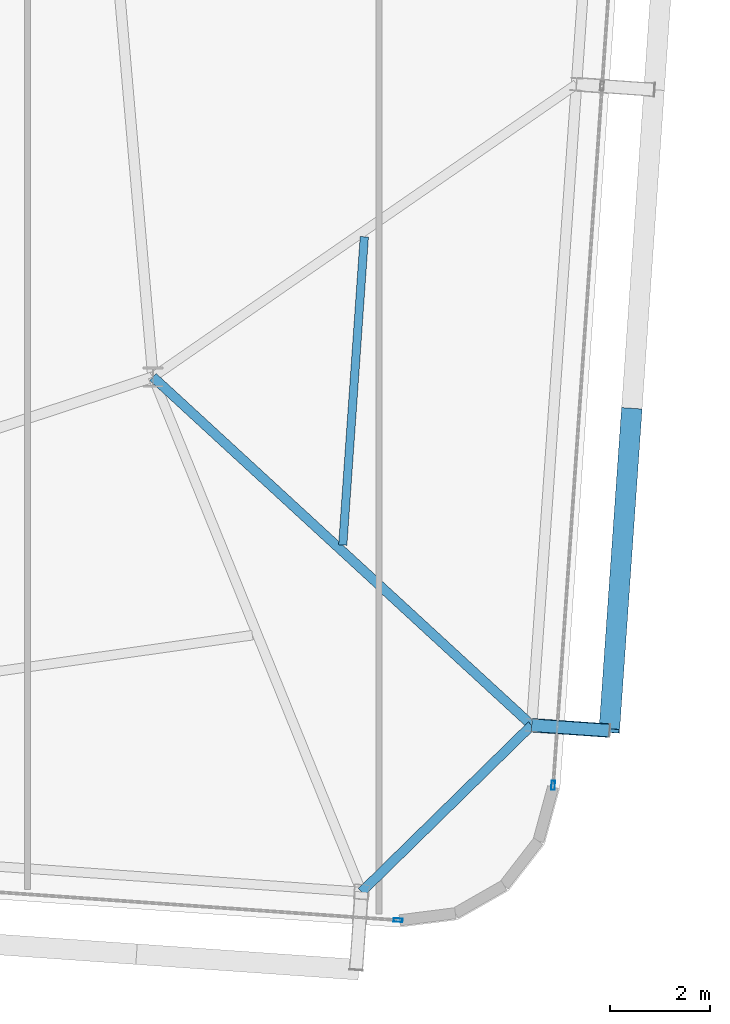
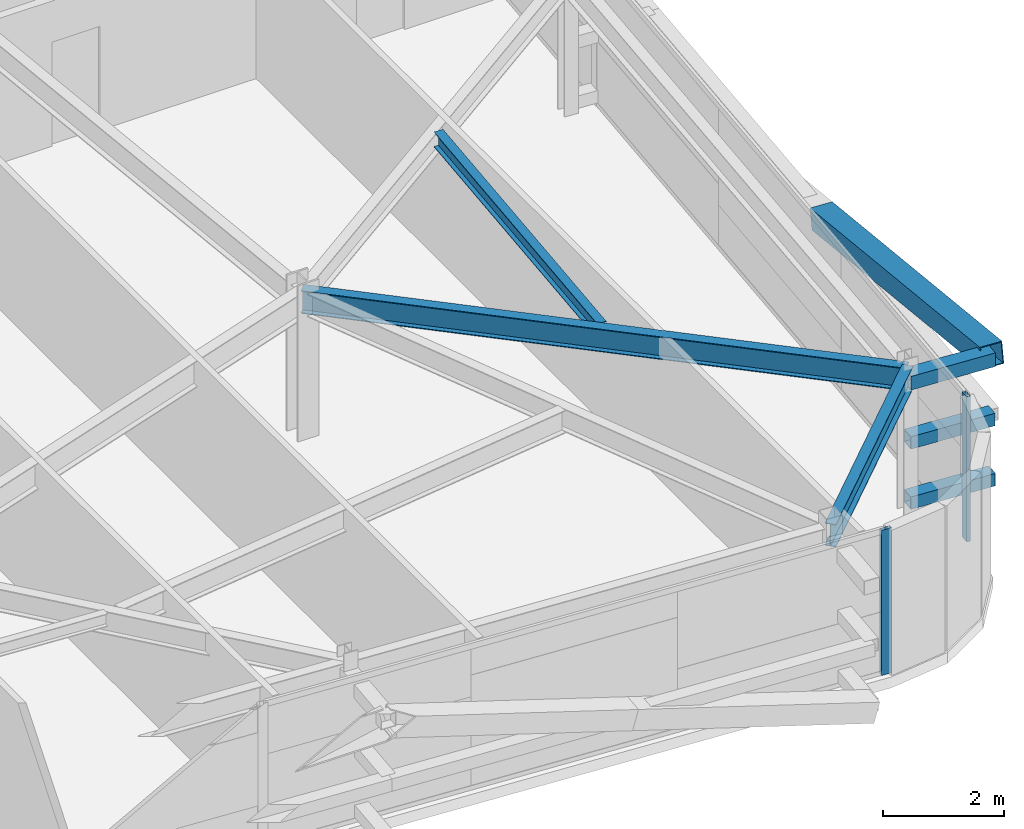
# One storey, part 15 of 39: 6 members, 3 beams, 2 elements without a shape of their own.
"""IFC4 building model written with IfcOpenShell, lengths in metres."""

from ifc_helpers import new_model, si_unit, direction, frame, origin, origin_2d, place, context, subcontext, project, spatial, hollow_rectangle, i_section, extrude, source, transform, mapped, material, layer, layer_set, material_profile, profile_set, type_object, element, aggregate, save


model = new_model("IFC4")

# Units and contexts
model_context = context("Model", 3, precision=1e-05, world=origin(), true_north=direction((0.0, 1.0)))
body_context = subcontext(model_context, "Body", "Model", "MODEL_VIEW")
ifc_project = project(units=[si_unit("LENGTHUNIT", "METRE"), si_unit("AREAUNIT", "SQUARE_METRE"), si_unit("VOLUMEUNIT", "CUBIC_METRE"), si_unit("PLANEANGLEUNIT", "RADIAN"), si_unit("MASSUNIT", "GRAM", prefix="KILO")], contexts=[model_context])

# Site, building, storey
site_placement = place(None, origin())
site = spatial("IfcSite", under=ifc_project, at=site_placement, CompositionType="ELEMENT")
building_placement = place(site_placement, origin())
building = spatial("IfcBuilding", under=site, at=building_placement, Name="Taldren Reach Tower", CompositionType="ELEMENT")
storey_placement = place(building_placement, frame((0.0, 0.0, 155.050048828125)))
storey = spatial("IfcBuildingStorey", under=building, at=storey_placement, Name="L47", CompositionType="ELEMENT", Elevation=155.050048828125)

# Members
ifc_material_1 = material(Name="Steel Gr 450 (C450L0)", Category="steel")
ifc_material_profile_1 = material_profile(ifc_material_1, hollow_rectangle(XDim=0.27490234375, YDim=0.27490234375, WallThickness=0.00927734375, at=origin_2d()), Name="275x275x9.3SHS")
ifc_profile_set_1 = profile_set([ifc_material_profile_1], Name="Steel Gr 450 (C450L0)")
member_type_1 = type_object("IfcMemberType", Name="MB-TIE273", PredefinedType="STRUT", material=ifc_profile_set_1)
shared_shape_1 = source(origin(), body_context, "Body", "SweptSolid", [
    extrude(hollow_rectangle(XDim=0.27490234375, YDim=0.27490234375, WallThickness=0.00927734375, at=origin_2d()), origin(), (0.0, 0.0, 1.0), 1.5498046875),
])
member_1_placement = place(storey_placement, frame((59.54541015625, 5.562744140625, 2.64990234375), z_axis=(0.997573320145, -0.069623781384, 0.0), x_axis=(0.069623781384, 0.997573320145, 0.0)))
element("IfcMember", 1, at=member_1_placement, inside=storey, type_object=member_type_1, Name="Exoskeleton diaphragm tie strut B3-E1 L47", PredefinedType="STRUT", context=body_context, shape_type="MappedRepresentation", body=[
    mapped(shared_shape_1, transform((0.0, 0.0, 0.0), scale=1.0)),
])
ifc_material_2 = material(Name="Steel Gr 350 (C350L0)", Category="steel")
ifc_material_profile_2 = material_profile(ifc_material_2, hollow_rectangle(XDim=0.25, YDim=0.25, WallThickness=0.010009765625, at=origin_2d()), Name="250x250x10.0SHS")
ifc_profile_set_2 = profile_set([ifc_material_profile_2], Name="Steel Gr 350 (C350L0)")
member_type_2 = type_object("IfcMemberType", Name="MB-POST250", PredefinedType="POST", material=ifc_profile_set_2)
shared_shape_2 = source(origin(), body_context, "Body", "SweptSolid", [
    extrude(hollow_rectangle(XDim=0.25, YDim=0.25, WallThickness=0.010009765625, at=origin_2d()), origin(), (0.0, 0.0, 1.0), 1.5498046875),
])
for number, where, z_axis, x_axis, name in (
    (2, (59.54541015625, 5.562744140625, 0.219970703125), (0.997573320145, -0.069623781384, 0.0), (0.069623781384, 0.997573320145, 0.0), "Exoskeleton base diaphragm tie strut B3-E1 L47"),
    (3, (59.54541015625, 5.562744140625, 1.43505859375), (0.997573320145, -0.069623781384, 0.0), (0.069623781384, 0.997573320145, 0.0), "Exoskeleton mid-tier diaphragm tie B3-E1 L47"),
):
    element("IfcMember", number, at=place(storey_placement, frame(where, z_axis=z_axis, x_axis=x_axis)), inside=storey, type_object=member_type_2, Name=name, PredefinedType="POST", context=body_context, shape_type="MappedRepresentation", body=[
        mapped(shared_shape_2, transform((0.0, 0.0, 0.0), scale=1.0)),
    ])

# Beams
ifc_material_3 = material(Name="Steel Gr 350 (350PLUS)", Category="steel")
ifc_material_profile_3 = material_profile(ifc_material_3, i_section(OverallWidth=0.18994140625, OverallDepth=0.4541015625, WebThickness=0.008544921875, FlangeThickness=0.0126953125, at=origin_2d()), Name="460UB67.1")
ifc_profile_set_3 = profile_set([ifc_material_profile_3], Name="Steel Gr 350 (350PLUS)")
beam_type_1 = type_object("IfcBeamType", Name="SP-UB460B", PredefinedType="SPANDREL", material=ifc_profile_set_3)
shared_shape_3 = source(origin(), body_context, "Body", "SweptSolid", [
    extrude(i_section(OverallWidth=0.18994140625, OverallDepth=0.4541015625, WebThickness=0.008544921875, FlangeThickness=0.0126953125, at=origin_2d()), origin(), (0.0, 0.0, 1.0), 4.745849609375),
])
beam_1_placement = place(storey_placement, frame((56.155517578125, 2.2412109375, 2.702880859375), z_axis=(0.714271982806, 0.699868226581, 0.0), x_axis=(-0.699868226581, 0.714271982806, 0.0)))
element("IfcBeam", 4, at=beam_1_placement, inside=storey, type_object=beam_type_1, Name="Perimeter spandrel B3 S6-E1 L47", PredefinedType="SPANDREL", context=body_context, shape_type="MappedRepresentation", body=[
    mapped(shared_shape_3, transform((0.0, 0.0, 0.0), scale=1.0)),
])
ifc_material_profile_4 = material_profile(ifc_material_3, i_section(OverallWidth=0.19091796875, OverallDepth=0.4599609375, WebThickness=0.010009765625, FlangeThickness=0.01611328125, at=origin_2d()), Name="460UB82.1")
ifc_profile_set_4 = profile_set([ifc_material_profile_4], Name="Steel Gr 350 (350PLUS)")
beam_type_2 = type_object("IfcBeamType", Name="BM-UB460A", PredefinedType="BEAM", material=ifc_profile_set_4)
shared_shape_4 = source(origin(), body_context, "Body", "SweptSolid", [
    extrude(i_section(OverallWidth=0.19091796875, OverallDepth=0.4599609375, WebThickness=0.010009765625, FlangeThickness=0.01611328125, at=origin_2d()), origin(), (0.0, 0.0, 1.0), 10.249755859375),
])
beam_2_placement = place(storey_placement, frame((52.0, 12.5, 2.699951171875), z_axis=(0.736150772628, -0.676817582483, 0.0), x_axis=(0.676817582483, 0.736150772628, 0.0)))
element("IfcBeam", 5, at=beam_2_placement, inside=storey, type_object=beam_type_2, Name="Primary floor girder B3-E1 L47", PredefinedType="BEAM", context=body_context, shape_type="MappedRepresentation", body=[
    mapped(shared_shape_4, transform((0.0, 0.0, 0.0), scale=1.0)),
])
ifc_material_4 = material(Name="Steel Gr 300 (300PLUS, 300 MPa)", Category="steel")
ifc_material_profile_5 = material_profile(ifc_material_4, i_section(OverallWidth=0.166015625, OverallDepth=0.306884765625, WebThickness=0.006591796875, FlangeThickness=0.01171875, at=origin_2d()), Name="310UB46.2")
ifc_profile_set_5 = profile_set([ifc_material_profile_5], Name="Steel Gr 300 (300PLUS, 300 MPa)")
beam_type_3 = type_object("IfcBeamType", Name="JS-UB310", PredefinedType="JOIST", material=ifc_profile_set_5)
shared_shape_5 = source(origin(), body_context, "Body", "SweptSolid", [
    extrude(i_section(OverallWidth=0.166015625, OverallDepth=0.306884765625, WebThickness=0.006591796875, FlangeThickness=0.01171875, at=origin_2d()), origin(), (0.0, 0.0, 1.0), 6.155517578125),
])
beam_3_placement = place(storey_placement, frame((55.78125, 9.1533203125, 2.7763671875), z_axis=(0.069764400024, 0.997563495969, 0.0), x_axis=(-0.997563495969, 0.069764400024, 0.0)))
element("IfcBeam", 6, at=beam_3_placement, inside=storey, type_object=beam_type_3, Name="Secondary floor joist B3 J7 L47", PredefinedType="JOIST", context=body_context, shape_type="MappedRepresentation", body=[
    mapped(shared_shape_5, transform((0.0, 0.0, 0.0), scale=1.0)),
])

# Member
ifc_material_profile_6 = material_profile(ifc_material_1, hollow_rectangle(XDim=0.409912109375, YDim=0.409912109375, WallThickness=0.01611328125, at=origin_2d()), Name="410x410x16.0SHS")
ifc_profile_set_6 = profile_set([ifc_material_profile_6], Name="Steel Gr 450 (C450L0)")
member_type_3 = type_object("IfcMemberType", Name="MB-EXO406", PredefinedType="BRACE", material=ifc_profile_set_6)
shared_shape_6 = source(origin(), body_context, "Body", "SweptSolid", [
    extrude(hollow_rectangle(XDim=0.409912109375, YDim=0.409912109375, WallThickness=0.01611328125, at=origin_2d()), origin(), (0.0, 0.0, 1.0), 6.51416015625),
])
member_2_placement = place(storey_placement, frame((61.5380859375, 11.839111328125, 1.43505859375), z_axis=(-0.068548123702, -0.980062020128, 0.186492872358), x_axis=(0.997562951496, -0.069772185021, 0.0)))
element("IfcMember", 7, at=member_2_placement, inside=storey, type_object=member_type_3, Name="Exoskeleton Diagrid Brace B3-E1 L47", PredefinedType="BRACE", context=body_context, shape_type="MappedRepresentation", body=[
    mapped(shared_shape_6, transform((0.0, 0.0, 0.0), scale=1.0)),
])

# Curtain wall, member
ifc_material_5 = material(Name="Aluminium and Low-E Glass Unitised System", Category="aluminium")
ifc_layer = layer(ifc_material_5, 0.159912109375)
ifc_layer_set = layer_set([ifc_layer], Name="Aluminium and Low-E Glass Unitised System")
curtain_wall_type = type_object("IfcCurtainWallType", Name="CW-SYS-4", PredefinedType="NOTDEFINED", material=ifc_layer_set)
curtain_wall_1_placement = place(storey_placement, origin())
curtain_wall_1 = element("IfcCurtainWall", 8, at=curtain_wall_1_placement, inside=storey, type_object=curtain_wall_type, Name="Unitised curtain wall CW-L47-S", PredefinedType="NOTDEFINED")
ifc_material_6 = material(Name="Anodised Aluminium 6063-T6", Category="aluminium")
ifc_material_profile_7 = material_profile(ifc_material_6, hollow_rectangle(XDim=0.070068359375, YDim=0.179931640625, WallThickness=0.00390625, at=origin_2d()), Name="ALU-180x70x4RHS")
ifc_profile_set_7 = profile_set([ifc_material_profile_7], Name="Anodised Aluminium 6063-T6")
member_type_4 = type_object("IfcMemberType", Name="CW-MUL-180", PredefinedType="MULLION", material=ifc_profile_set_7)
shared_shape_7 = source(origin(), body_context, "Body", "SweptSolid", [
    extrude(hollow_rectangle(XDim=0.070068359375, YDim=0.179931640625, WallThickness=0.00390625, at=origin_2d()), origin(), (0.0, 0.0, 1.0), 2.929931640625),
])
member_3_placement = place(storey_placement, frame((56.883056640625, 1.67919921875, 0.0), z_axis=(0.0, 0.0, 1.0), x_axis=(0.06975651593, 0.99756404731, 0.0)))
member_3 = element("IfcMember", 9, at=member_3_placement, type_object=member_type_4, Name="CW-4 mullion 5", PredefinedType="MULLION", context=body_context, shape_type="MappedRepresentation", body=[
    mapped(shared_shape_7, transform((0.0, 0.0, 0.0), scale=1.0)),
])
aggregate(curtain_wall_1, [member_3])

curtain_wall_2_placement = place(storey_placement, origin())
curtain_wall_2 = element("IfcCurtainWall", 10, at=curtain_wall_2_placement, inside=storey, type_object=curtain_wall_type, Name="Unitised curtain wall CW-L47-E", PredefinedType="NOTDEFINED")
member_4_placement = place(storey_placement, frame((59.972900390625, 4.365234375, 0.0), z_axis=(0.0, 0.0, 1.0), x_axis=(-0.997564052812, 0.069756437251, 0.0)))
member_4 = element("IfcMember", 11, at=member_4_placement, type_object=member_type_4, Name="CW-4 mullion 1", PredefinedType="MULLION", context=body_context, shape_type="MappedRepresentation", body=[
    mapped(shared_shape_7, transform((0.0, 0.0, 0.0), scale=1.0)),
])
aggregate(curtain_wall_2, [member_4])

save(model, "model.ifc")
